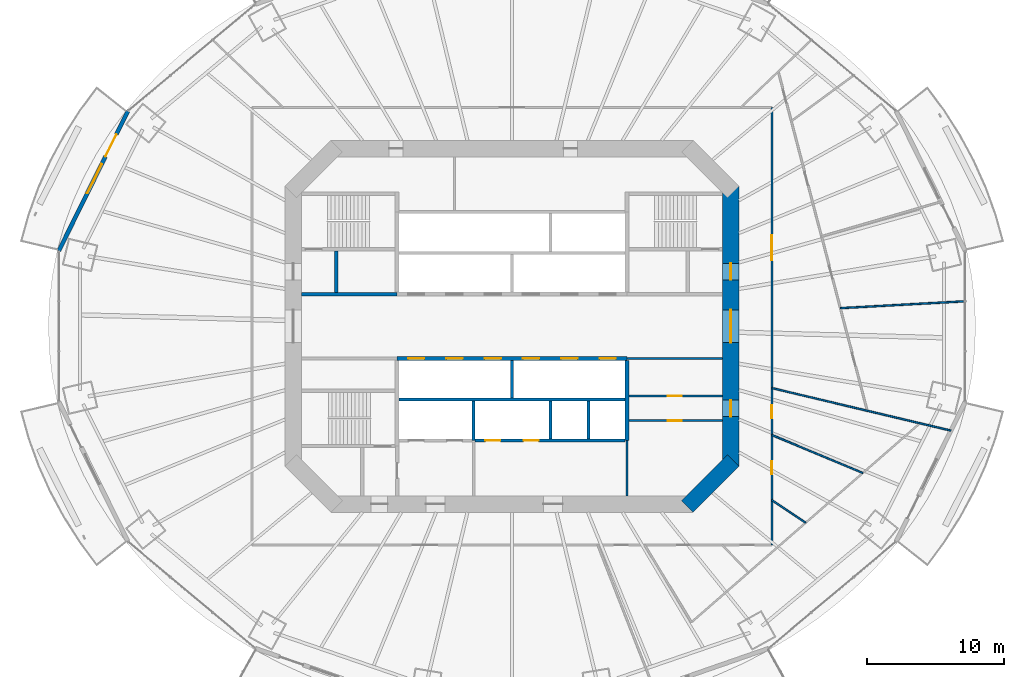
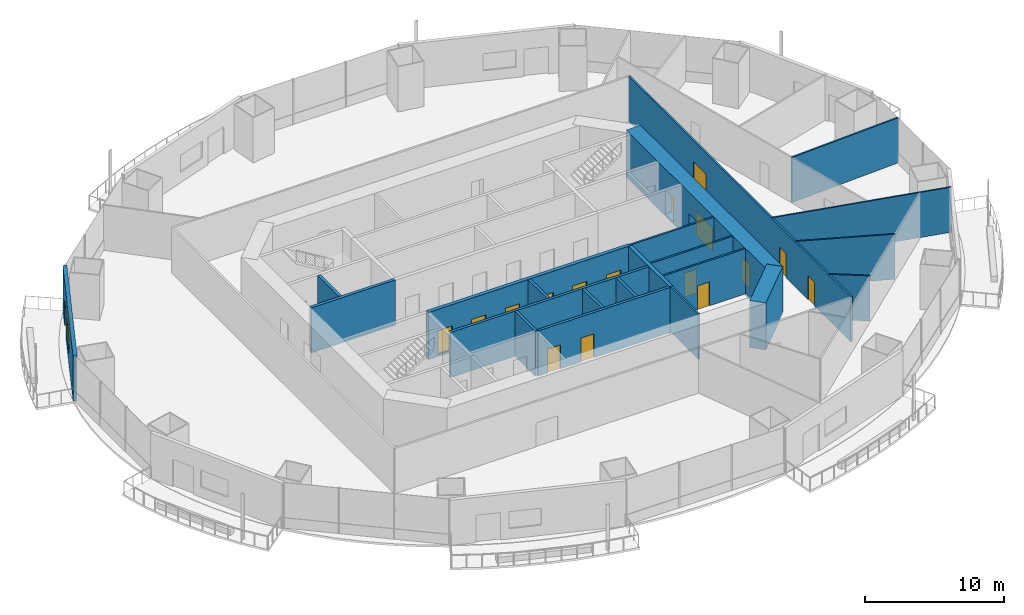
# One storey, part 14 of 21: 22 walls, 17 doors, 1 window, 18 openings.
"""IFC4 building model written with IfcOpenShell, lengths in metres."""

from ifc_helpers import new_model, si_unit, direction, frame, frame_2d, origin, place, context, subcontext, project, spatial, rectangle, extrude, material, layer, layer_set, type_object, element, fill, save


model = new_model("IFC4")

# Units and contexts
model_context = context("Model", 3, precision=1e-05, world=origin(), true_north=direction((0.0, 1.0)))
body_context = subcontext(model_context, "Body", "Model", "MODEL_VIEW")
ifc_project = project(units=[si_unit("LENGTHUNIT", "METRE"), si_unit("AREAUNIT", "SQUARE_METRE"), si_unit("VOLUMEUNIT", "CUBIC_METRE"), si_unit("PLANEANGLEUNIT", "RADIAN"), si_unit("MASSUNIT", "GRAM", prefix="KILO")], contexts=[model_context])

# Site, building, storey
site_placement = place(None, origin())
site = spatial("IfcSite", under=ifc_project, at=site_placement, CompositionType="ELEMENT")
building_placement = place(site_placement, origin())
building = spatial("IfcBuilding", under=site, at=building_placement, Name="Marenthal Gate Tower", CompositionType="ELEMENT")
storey_placement = place(building_placement, frame((0.0, 0.0, 128.449951171875)))
storey = spatial("IfcBuildingStorey", under=building, at=storey_placement, Name="L27", CompositionType="ELEMENT", Elevation=128.449951171875)

# Wall
ifc_material_1 = material(Name="Concrete 60 MPa", Category="concrete")
ifc_layer_1 = layer(ifc_material_1, 1.199951171875)
ifc_layer_set_1 = layer_set([ifc_layer_1], Name="Core shear wall 1200")
wall_type_1 = type_object("IfcWallType", Name="Core shear wall 1200", PredefinedType="SHEAR", material=ifc_layer_set_1)
wall_1_placement = place(storey_placement, frame((12.82421875, -13.17578125, -0.179931640625), z_axis=(0.0, 0.0, 1.0), x_axis=(0.707106781187, 0.707106781187, 0.0)))
element("IfcWall", 1, at=wall_1_placement, inside=storey, type_object=wall_type_1, Name="Core wall 01", PredefinedType="SHEAR", context=body_context, shape_type="SweptSolid", body=[
    extrude(rectangle(XDim=4.73974609375, YDim=1.199951171875, at=frame_2d((2.369873046875, 0.0))), origin(), (0.0, 0.0, 1.0), 4.14990234375),
])

# Wall, openings, doors
wall_2_placement = place(storey_placement, frame((16.0, -10.24853515625, -0.179931640625), z_axis=(0.0, 0.0, 1.0), x_axis=(0.0, 1.0, 0.0)))
wall_2 = element("IfcWall", 2, at=wall_2_placement, inside=storey, type_object=wall_type_1, Name="Core wall 02", PredefinedType="SHEAR", context=body_context, shape_type="SweptSolid", body=[
    extrude(rectangle(XDim=20.4970703125, YDim=1.199951171875, at=frame_2d((10.24853515625, 0.0))), origin(), (0.0, 0.0, 1.0), 4.14990234375),
])
opening_1_placement = place(wall_2_placement, frame((9.048583984375, 0.0, 0.179931640625)))
opening_1 = element("IfcOpeningElement", 3, at=opening_1_placement, cuts=wall_2, Name="Opening D003.02", PredefinedType="OPENING", context=body_context, shape_type="SweptSolid", body=[
    extrude(rectangle(XDim=2.39990234375, YDim=2.10009765625, at=frame_2d((1.199951171875, 1.050048828125))), frame((0.0, 0.60986328125, 0.0), z_axis=(0.0, -1.0, 0.0), x_axis=(1.0, 0.0, 0.0)), (0.0, 0.0, 1.0), 1.219970703125),
])
opening_2_placement = place(wall_2_placement, frame((13.6484375, 0.0, 0.179931640625)))
opening_2 = element("IfcOpeningElement", 4, at=opening_2_placement, cuts=wall_2, Name="Opening D001.05", PredefinedType="OPENING", context=body_context, shape_type="SweptSolid", body=[
    extrude(rectangle(XDim=1.199951171875, YDim=2.10009765625, at=frame_2d((0.60009765625, 1.050048828125))), frame((0.0, 0.60986328125, 0.0), z_axis=(0.0, -1.0, 0.0), x_axis=(1.0, 0.0, 0.0)), (0.0, 0.0, 1.0), 1.219970703125),
])
opening_3_placement = place(wall_2_placement, frame((3.6484375, 0.0, 0.179931640625)))
opening_3 = element("IfcOpeningElement", 5, at=opening_3_placement, cuts=wall_2, Name="Opening D006.01", PredefinedType="OPENING", context=body_context, shape_type="SweptSolid", body=[
    extrude(rectangle(XDim=1.199951171875, YDim=2.10009765625, at=frame_2d((0.60009765625, 1.050048828125))), frame((0.0, 0.60986328125, 0.0), z_axis=(0.0, -1.0, 0.0), x_axis=(1.0, 0.0, 0.0)), (0.0, 0.0, 1.0), 1.219970703125),
])
ifc_material_2 = material(Name="Steel fire door", Category="steel")
door_type_1 = type_object("IfcDoorType", Name="Double fire door FD 45 2400 x 2100", OperationType="DOUBLE_DOOR_SINGLE_SWING", PredefinedType="DOOR", material=ifc_material_2)
door_1_placement = place(opening_1_placement, origin())
door_1 = element("IfcDoor", 6, at=door_1_placement, inside=storey, type_object=door_type_1, Name="Door D003.02", OperationType="DOUBLE_DOOR_SINGLE_SWING", OverallHeight=2.10009765625, OverallWidth=2.39990234375, PredefinedType="DOOR", context=body_context, shape_type="SweptSolid", body=[
    extrude(rectangle(XDim=2.39990234375, YDim=2.10009765625, at=frame_2d((1.199951171875, 1.050048828125))), frame((0.0, 0.02490234375, 0.0), z_axis=(0.0, -1.0, 0.0), x_axis=(1.0, 0.0, 0.0)), (0.0, 0.0, 1.0), 0.050048828125),
])
fill(opening_1, door_1)
ifc_material_3 = material(Name="Steel fire door", Category="steel")
door_type_2 = type_object("IfcDoorType", Name="Fire door FD 45 1200 x 2100", OperationType="NOTDEFINED", PredefinedType="DOOR", material=ifc_material_3)
door_2_placement = place(opening_3_placement, origin())
door_2 = element("IfcDoor", 7, at=door_2_placement, inside=storey, type_object=door_type_2, Name="Door D006.01", OperationType="SINGLE_SWING_RIGHT", OverallHeight=2.10009765625, OverallWidth=1.199951171875, PredefinedType="DOOR", context=body_context, shape_type="SweptSolid", body=[
    extrude(rectangle(XDim=1.199951171875, YDim=2.10009765625, at=frame_2d((0.60009765625, 1.050048828125))), frame((0.0, 0.02490234375, 0.0), z_axis=(0.0, -1.0, 0.0), x_axis=(1.0, 0.0, 0.0)), (0.0, 0.0, 1.0), 0.050048828125),
])
fill(opening_3, door_2)
ifc_material_4 = material(Name="Steel fire door", Category="steel")
door_type_3 = type_object("IfcDoorType", Name="Fire door FD 90 1200 x 2100", OperationType="NOTDEFINED", PredefinedType="DOOR", material=ifc_material_4)
door_3_placement = place(opening_2_placement, origin())
door_3 = element("IfcDoor", 8, at=door_3_placement, inside=storey, type_object=door_type_3, Name="Door D001.05", OperationType="SINGLE_SWING_RIGHT", OverallHeight=2.10009765625, OverallWidth=1.199951171875, PredefinedType="DOOR", context=body_context, shape_type="SweptSolid", body=[
    extrude(rectangle(XDim=1.199951171875, YDim=2.10009765625, at=frame_2d((0.60009765625, 1.050048828125))), frame((0.0, 0.02490234375, 0.0), z_axis=(0.0, -1.0, 0.0), x_axis=(1.0, 0.0, 0.0)), (0.0, 0.0, 1.0), 0.050048828125),
])
fill(opening_2, door_3)

ifc_material_5 = material(Name="Concrete 50 MPa", Category="concrete")
ifc_layer_2 = layer(ifc_material_5, 0.300048828125)
ifc_layer_set_2 = layer_set([ifc_layer_2], Name="Hoistway shear wall 300")
wall_type_2 = type_object("IfcWallType", Name="Hoistway shear wall 300", PredefinedType="SHEAR", material=ifc_layer_set_2)
wall_3_placement = place(storey_placement, frame((-8.39990234375, -2.35009765625, -0.179931640625), z_axis=(0.0, 0.0, 1.0), x_axis=(1.0, 0.0, 0.0)))
wall_3 = element("IfcWall", 9, at=wall_3_placement, inside=storey, type_object=wall_type_2, Name="Hoistway wall 17", PredefinedType="SHEAR", context=body_context, shape_type="SweptSolid", body=[
    extrude(rectangle(XDim=16.7998046875, YDim=0.300048828125, at=frame_2d((8.39990234375, 0.0))), origin(), (0.0, 0.0, 1.0), 4.14990234375),
])
opening_4_placement = place(wall_3_placement, frame((0.800048828125, 0.0, 0.179931640625)))
opening_4 = element("IfcOpeningElement", 10, at=opening_4_placement, cuts=wall_3, Name="Opening LD-LP7", PredefinedType="OPENING", context=body_context, shape_type="SweptSolid", body=[
    extrude(rectangle(XDim=1.199951171875, YDim=2.10009765625, at=frame_2d((0.60009765625, 1.050048828125))), frame((0.0, 0.16015625, 0.0), z_axis=(0.0, -1.0, 0.0), x_axis=(1.0, 0.0, 0.0)), (0.0, 0.0, 1.0), 0.320068359375),
])
opening_5_placement = place(wall_3_placement, frame((3.60009765625, 0.0, 0.179931640625)))
opening_5 = element("IfcOpeningElement", 11, at=opening_5_placement, cuts=wall_3, Name="Opening LD-LP8", PredefinedType="OPENING", context=body_context, shape_type="SweptSolid", body=[
    extrude(rectangle(XDim=1.199951171875, YDim=2.10009765625, at=frame_2d((0.60009765625, 1.050048828125))), frame((0.0, 0.16015625, 0.0), z_axis=(0.0, -1.0, 0.0), x_axis=(1.0, 0.0, 0.0)), (0.0, 0.0, 1.0), 0.320068359375),
])
opening_6_placement = place(wall_3_placement, frame((6.39990234375, 0.0, 0.179931640625)))
opening_6 = element("IfcOpeningElement", 12, at=opening_6_placement, cuts=wall_3, Name="Opening LD-LP9", PredefinedType="OPENING", context=body_context, shape_type="SweptSolid", body=[
    extrude(rectangle(XDim=1.199951171875, YDim=2.10009765625, at=frame_2d((0.60009765625, 1.050048828125))), frame((0.0, 0.16015625, 0.0), z_axis=(0.0, -1.0, 0.0), x_axis=(1.0, 0.0, 0.0)), (0.0, 0.0, 1.0), 0.320068359375),
])
opening_7_placement = place(wall_3_placement, frame((9.199951171875, 0.0, 0.179931640625)))
opening_7 = element("IfcOpeningElement", 13, at=opening_7_placement, cuts=wall_3, Name="Opening LD-LP10", PredefinedType="OPENING", context=body_context, shape_type="SweptSolid", body=[
    extrude(rectangle(XDim=1.199951171875, YDim=2.10009765625, at=frame_2d((0.60009765625, 1.050048828125))), frame((0.0, 0.16015625, 0.0), z_axis=(0.0, -1.0, 0.0), x_axis=(1.0, 0.0, 0.0)), (0.0, 0.0, 1.0), 0.320068359375),
])
opening_8_placement = place(wall_3_placement, frame((12.0, 0.0, 0.179931640625)))
opening_8 = element("IfcOpeningElement", 14, at=opening_8_placement, cuts=wall_3, Name="Opening LD-LP11", PredefinedType="OPENING", context=body_context, shape_type="SweptSolid", body=[
    extrude(rectangle(XDim=1.199951171875, YDim=2.10009765625, at=frame_2d((0.60009765625, 1.050048828125))), frame((0.0, 0.16015625, 0.0), z_axis=(0.0, -1.0, 0.0), x_axis=(1.0, 0.0, 0.0)), (0.0, 0.0, 1.0), 0.320068359375),
])
opening_9_placement = place(wall_3_placement, frame((14.800048828125, 0.0, 0.179931640625)))
opening_9 = element("IfcOpeningElement", 15, at=opening_9_placement, cuts=wall_3, Name="Opening LD-LP12", PredefinedType="OPENING", context=body_context, shape_type="SweptSolid", body=[
    extrude(rectangle(XDim=1.199951171875, YDim=2.10009765625, at=frame_2d((0.60009765625, 1.050048828125))), frame((0.0, 0.16015625, 0.0), z_axis=(0.0, -1.0, 0.0), x_axis=(1.0, 0.0, 0.0)), (0.0, 0.0, 1.0), 0.320068359375),
])
ifc_material_6 = material(Name="Stainless steel sliding door", Category="steel")
door_type_4 = type_object("IfcDoorType", Name="Lift landing door FD 90 1200 x 2100", OperationType="DOUBLE_DOOR_SLIDING", PredefinedType="DOOR", material=ifc_material_6)
door_4_placement = place(opening_4_placement, origin())
door_4 = element("IfcDoor", 16, at=door_4_placement, inside=storey, type_object=door_type_4, Name="Lift landing door LP7", OperationType="DOUBLE_DOOR_SLIDING", OverallHeight=2.10009765625, OverallWidth=1.199951171875, PredefinedType="DOOR", context=body_context, shape_type="SweptSolid", body=[
    extrude(rectangle(XDim=1.199951171875, YDim=2.10009765625, at=frame_2d((0.60009765625, 1.050048828125))), frame((0.0, 0.02490234375, 0.0), z_axis=(0.0, -1.0, 0.0), x_axis=(1.0, 0.0, 0.0)), (0.0, 0.0, 1.0), 0.050048828125),
])
fill(opening_4, door_4)
door_5_placement = place(opening_5_placement, origin())
door_5 = element("IfcDoor", 17, at=door_5_placement, inside=storey, type_object=door_type_4, Name="Lift landing door LP8", OperationType="DOUBLE_DOOR_SLIDING", OverallHeight=2.10009765625, OverallWidth=1.199951171875, PredefinedType="DOOR", context=body_context, shape_type="SweptSolid", body=[
    extrude(rectangle(XDim=1.199951171875, YDim=2.10009765625, at=frame_2d((0.60009765625, 1.050048828125))), frame((0.0, 0.02490234375, 0.0), z_axis=(0.0, -1.0, 0.0), x_axis=(1.0, 0.0, 0.0)), (0.0, 0.0, 1.0), 0.050048828125),
])
fill(opening_5, door_5)
door_6_placement = place(opening_6_placement, origin())
door_6 = element("IfcDoor", 18, at=door_6_placement, inside=storey, type_object=door_type_4, Name="Lift landing door LP9", OperationType="DOUBLE_DOOR_SLIDING", OverallHeight=2.10009765625, OverallWidth=1.199951171875, PredefinedType="DOOR", context=body_context, shape_type="SweptSolid", body=[
    extrude(rectangle(XDim=1.199951171875, YDim=2.10009765625, at=frame_2d((0.60009765625, 1.050048828125))), frame((0.0, 0.02490234375, 0.0), z_axis=(0.0, -1.0, 0.0), x_axis=(1.0, 0.0, 0.0)), (0.0, 0.0, 1.0), 0.050048828125),
])
fill(opening_6, door_6)
door_7_placement = place(opening_7_placement, origin())
door_7 = element("IfcDoor", 19, at=door_7_placement, inside=storey, type_object=door_type_4, Name="Lift landing door LP10", OperationType="DOUBLE_DOOR_SLIDING", OverallHeight=2.10009765625, OverallWidth=1.199951171875, PredefinedType="DOOR", context=body_context, shape_type="SweptSolid", body=[
    extrude(rectangle(XDim=1.199951171875, YDim=2.10009765625, at=frame_2d((0.60009765625, 1.050048828125))), frame((0.0, 0.02490234375, 0.0), z_axis=(0.0, -1.0, 0.0), x_axis=(1.0, 0.0, 0.0)), (0.0, 0.0, 1.0), 0.050048828125),
])
fill(opening_7, door_7)
door_8_placement = place(opening_8_placement, origin())
door_8 = element("IfcDoor", 20, at=door_8_placement, inside=storey, type_object=door_type_4, Name="Lift landing door LP11", OperationType="DOUBLE_DOOR_SLIDING", OverallHeight=2.10009765625, OverallWidth=1.199951171875, PredefinedType="DOOR", context=body_context, shape_type="SweptSolid", body=[
    extrude(rectangle(XDim=1.199951171875, YDim=2.10009765625, at=frame_2d((0.60009765625, 1.050048828125))), frame((0.0, 0.02490234375, 0.0), z_axis=(0.0, -1.0, 0.0), x_axis=(1.0, 0.0, 0.0)), (0.0, 0.0, 1.0), 0.050048828125),
])
fill(opening_8, door_8)
door_9_placement = place(opening_9_placement, origin())
door_9 = element("IfcDoor", 21, at=door_9_placement, inside=storey, type_object=door_type_4, Name="Lift landing door LP12", OperationType="DOUBLE_DOOR_SLIDING", OverallHeight=2.10009765625, OverallWidth=1.199951171875, PredefinedType="DOOR", context=body_context, shape_type="SweptSolid", body=[
    extrude(rectangle(XDim=1.199951171875, YDim=2.10009765625, at=frame_2d((0.60009765625, 1.050048828125))), frame((0.0, 0.02490234375, 0.0), z_axis=(0.0, -1.0, 0.0), x_axis=(1.0, 0.0, 0.0)), (0.0, 0.0, 1.0), 0.050048828125),
])
fill(opening_9, door_9)

# Wall
wall_4_placement = place(storey_placement, frame((8.39990234375, -8.35009765625, -0.179931640625), z_axis=(0.0, 0.0, 1.0), x_axis=(0.0, 1.0, 0.0)))
element("IfcWall", 22, at=wall_4_placement, inside=storey, type_object=wall_type_2, Name="Hoistway wall 43", PredefinedType="SHEAR", context=body_context, shape_type="SweptSolid", body=[
    extrude(rectangle(XDim=5.85009765625, YDim=0.300048828125, at=frame_2d((2.925048828125, 0.0))), origin(), (0.0, 0.0, 1.0), 4.14990234375),
])

# Wall, openings, doors
ifc_material_7 = material(Name="Concrete 40 MPa", Category="concrete")
ifc_layer_3 = layer(ifc_material_7, 0.219970703125)
ifc_layer_set_3 = layer_set([ifc_layer_3], Name="Hoistway wall 220")
wall_type_3 = type_object("IfcWallType", Name="Hoistway wall 220", PredefinedType="STANDARD", material=ifc_layer_set_3)
wall_5_placement = place(storey_placement, frame((-2.68994140625, -8.35009765625, 0.0), z_axis=(0.0, 0.0, 1.0), x_axis=(1.0, 0.0, 0.0)))
wall_5 = element("IfcWall", 23, at=wall_5_placement, inside=storey, type_object=wall_type_3, Name="Hoistway wall 11", PredefinedType="STANDARD", context=body_context, shape_type="SweptSolid", body=[
    extrude(rectangle(XDim=10.93994140625, YDim=0.219970703125, at=frame_2d((5.469970703125, 0.0))), origin(), (0.0, 0.0, 1.0), 3.969970703125),
])
opening_10_placement = place(wall_5_placement, frame((0.739990234375, 0.0, 0.0)))
opening_10 = element("IfcOpeningElement", 24, at=opening_10_placement, cuts=wall_5, Name="Opening LD-SV1", PredefinedType="OPENING", context=body_context, shape_type="SweptSolid", body=[
    extrude(rectangle(XDim=1.10009765625, YDim=2.10009765625, at=frame_2d((0.550048828125, 1.050048828125))), frame((0.0, 0.1201171875, 0.0), z_axis=(0.0, -1.0, 0.0), x_axis=(1.0, 0.0, 0.0)), (0.0, 0.0, 1.0), 0.239990234375),
])
opening_11_placement = place(wall_5_placement, frame((3.5400390625, 0.0, 0.0)))
opening_11 = element("IfcOpeningElement", 25, at=opening_11_placement, cuts=wall_5, Name="Opening LD-SV2", PredefinedType="OPENING", context=body_context, shape_type="SweptSolid", body=[
    extrude(rectangle(XDim=1.10009765625, YDim=2.10009765625, at=frame_2d((0.550048828125, 1.050048828125))), frame((0.0, 0.1201171875, 0.0), z_axis=(0.0, -1.0, 0.0), x_axis=(1.0, 0.0, 0.0)), (0.0, 0.0, 1.0), 0.239990234375),
])
ifc_material_8 = material(Name="Stainless steel sliding door", Category="steel")
door_type_5 = type_object("IfcDoorType", Name="Lift landing door FD 90 1100 x 2100", OperationType="DOUBLE_DOOR_SLIDING", PredefinedType="DOOR", material=ifc_material_8)
door_10_placement = place(opening_10_placement, origin())
door_10 = element("IfcDoor", 26, at=door_10_placement, inside=storey, type_object=door_type_5, Name="Lift landing door SV1", OperationType="DOUBLE_DOOR_SLIDING", OverallHeight=2.10009765625, OverallWidth=1.10009765625, PredefinedType="DOOR", context=body_context, shape_type="SweptSolid", body=[
    extrude(rectangle(XDim=1.10009765625, YDim=2.10009765625, at=frame_2d((0.550048828125, 1.050048828125))), frame((0.0, 0.02490234375, 0.0), z_axis=(0.0, -1.0, 0.0), x_axis=(1.0, 0.0, 0.0)), (0.0, 0.0, 1.0), 0.050048828125),
])
fill(opening_10, door_10)
door_11_placement = place(opening_11_placement, origin())
door_11 = element("IfcDoor", 27, at=door_11_placement, inside=storey, type_object=door_type_5, Name="Lift landing door SV2", OperationType="DOUBLE_DOOR_SLIDING", OverallHeight=2.10009765625, OverallWidth=1.10009765625, PredefinedType="DOOR", context=body_context, shape_type="SweptSolid", body=[
    extrude(rectangle(XDim=1.10009765625, YDim=2.10009765625, at=frame_2d((0.550048828125, 1.050048828125))), frame((0.0, 0.02490234375, 0.0), z_axis=(0.0, -1.0, 0.0), x_axis=(1.0, 0.0, 0.0)), (0.0, 0.0, 1.0), 0.050048828125),
])
fill(opening_11, door_11)

# Walls
wall_6_placement = place(storey_placement, frame((-8.25, -5.35009765625, 0.0), z_axis=(0.0, 0.0, 1.0), x_axis=(1.0, 0.0, 0.0)))
element("IfcWall", 28, at=wall_6_placement, inside=storey, type_object=wall_type_3, Name="Hoistway wall 13", PredefinedType="STANDARD", context=body_context, shape_type="SweptSolid", body=[
    extrude(rectangle(XDim=16.5, YDim=0.219970703125, at=frame_2d((8.25, 0.0))), origin(), (0.0, 0.0, 1.0), 3.969970703125),
])
wall_7_placement = place(storey_placement, frame((-2.800048828125, -8.35009765625, 0.0), z_axis=(0.0, 0.0, 1.0), x_axis=(0.0, 1.0, 0.0)))
element("IfcWall", 29, at=wall_7_placement, inside=storey, type_object=wall_type_3, Name="Hoistway wall 36", PredefinedType="STANDARD", context=body_context, shape_type="SweptSolid", body=[
    extrude(rectangle(XDim=2.89013671875, YDim=0.219970703125, at=frame_2d((1.445068359375, 0.0))), origin(), (0.0, 0.0, 1.0), 3.969970703125),
])
wall_8_placement = place(storey_placement, frame((0.0, -5.239990234375, 0.0), z_axis=(0.0, 0.0, 1.0), x_axis=(0.0, 1.0, 0.0)))
element("IfcWall", 30, at=wall_8_placement, inside=storey, type_object=wall_type_3, Name="Hoistway wall 37", PredefinedType="STANDARD", context=body_context, shape_type="SweptSolid", body=[
    extrude(rectangle(XDim=2.739990234375, YDim=0.219970703125, at=frame_2d((1.3701171875, 0.0))), origin(), (0.0, 0.0, 1.0), 3.969970703125),
])
for number, where, z_axis, x_axis, name in (
    (31, (2.800048828125, -8.239990234375, 0.0), (0.0, 0.0, 1.0), (0.0, 1.0, 0.0), "Hoistway wall 39"),
    (32, (5.60009765625, -8.239990234375, 0.0), (0.0, 0.0, 1.0), (0.0, 1.0, 0.0), "Hoistway wall 41"),
):
    element("IfcWall", number, at=place(storey_placement, frame(where, z_axis=z_axis, x_axis=x_axis)), inside=storey, type_object=wall_type_3, Name=name, PredefinedType="STANDARD", context=body_context, shape_type="SweptSolid", body=[
        extrude(rectangle(XDim=2.780029296875, YDim=0.219970703125, at=frame_2d((1.39013671875, 0.0))), origin(), (0.0, 0.0, 1.0), 3.969970703125),
    ])
ifc_material_9 = material(Name="Gypsum board on steel studs", Category="steel")
ifc_layer_4 = layer(ifc_material_9, 0.1201171875)
ifc_layer_set_4 = layer_set([ifc_layer_4], Name="Partition 120")
wall_type_4 = type_object("IfcWallType", Name="Partition 120", PredefinedType="PARTITIONING", material=ifc_layer_set_4)
wall_9_placement = place(storey_placement, frame((19.0, -4.5146484375, 0.0), z_axis=(0.0, 0.0, 1.0), x_axis=(0.972908867851, -0.231188959202, 0.0)))
element("IfcWall", 33, at=wall_9_placement, inside=storey, type_object=wall_type_4, Name="Partition wall 56", PredefinedType="PARTITIONING", context=body_context, shape_type="SweptSolid", body=[
    extrude(rectangle(XDim=13.461181640625, YDim=0.1201171875, at=frame_2d((6.73046875, 0.0))), origin(), (0.0, 0.0, 1.0), 3.969970703125),
])
wall_10_placement = place(storey_placement, frame((21.4765625, -14.363037109375, 0.0), z_axis=(0.0, 0.0, 1.0), x_axis=(-0.831242578358, 0.555909863129, 0.0)))
element("IfcWall", 34, at=wall_10_placement, inside=storey, type_object=wall_type_4, Name="Partition wall 58", PredefinedType="PARTITIONING", context=body_context, shape_type="SweptSolid", body=[
    extrude(rectangle(XDim=2.979248046875, YDim=0.1201171875, at=frame_2d((1.48974609375, 0.0))), origin(), (0.0, 0.0, 1.0), 3.969970703125),
])
wall_11_placement = place(storey_placement, frame((25.653076171875, -10.7255859375, 0.0), z_axis=(0.0, 0.0, 1.0), x_axis=(-0.922602442877, 0.385752164476, 0.0)))
element("IfcWall", 35, at=wall_11_placement, inside=storey, type_object=wall_type_4, Name="Partition wall 60", PredefinedType="PARTITIONING", context=body_context, shape_type="SweptSolid", body=[
    extrude(rectangle(XDim=7.211181640625, YDim=0.1201171875, at=frame_2d((3.60546875, 0.0))), origin(), (0.0, 0.0, 1.0), 3.969970703125),
])
wall_12_placement = place(storey_placement, frame((33.134765625, 1.831787109375, 0.0), z_axis=(0.0, 0.0, 1.0), x_axis=(-0.998475116473, -0.055203639227, 0.0)))
element("IfcWall", 36, at=wall_12_placement, inside=storey, type_object=wall_type_4, Name="Partition wall 63", PredefinedType="PARTITIONING", context=body_context, shape_type="SweptSolid", body=[
    extrude(rectangle(XDim=9.136962890625, YDim=0.1201171875, at=frame_2d((4.568359375, 0.0))), origin(), (0.0, 0.0, 1.0), 3.969970703125),
])

# Wall, opening, door
ifc_material_10 = material(Name="Gypsum board on steel studs", Category="steel")
ifc_layer_5 = layer(ifc_material_10, 0.14990234375)
ifc_layer_set_5 = layer_set([ifc_layer_5], Name="Partition 150")
wall_type_5 = type_object("IfcWallType", Name="Partition 150", PredefinedType="PARTITIONING", material=ifc_layer_set_5)
wall_13_placement = place(storey_placement, frame((8.550048828125, -6.89990234375, 0.0), z_axis=(0.0, 0.0, 1.0), x_axis=(1.0, 0.0, 0.0)))
wall_13 = element("IfcWall", 37, at=wall_13_placement, inside=storey, type_object=wall_type_5, Name="Partition wall 12", PredefinedType="PARTITIONING", context=body_context, shape_type="SweptSolid", body=[
    extrude(rectangle(XDim=6.849853515625, YDim=0.14990234375, at=frame_2d((3.4248046875, 0.0))), origin(), (0.0, 0.0, 1.0), 3.969970703125),
])
opening_12_placement = place(wall_13_placement, frame((2.85009765625, 0.0, 0.0)))
opening_12 = element("IfcOpeningElement", 38, at=opening_12_placement, cuts=wall_13, Name="Opening D005.04", PredefinedType="OPENING", context=body_context, shape_type="SweptSolid", body=[
    extrude(rectangle(XDim=1.0, YDim=2.10009765625, at=frame_2d((0.5, 1.050048828125))), frame((0.0, 0.0849609375, 0.0), z_axis=(0.0, -1.0, 0.0), x_axis=(1.0, 0.0, 0.0)), (0.0, 0.0, 1.0), 0.169921875),
])
ifc_material_11 = material(Name="Steel fire door", Category="steel")
door_type_6 = type_object("IfcDoorType", Name="Fire door FD 45 1000 x 2100", OperationType="NOTDEFINED", PredefinedType="DOOR", material=ifc_material_11)
door_12_placement = place(opening_12_placement, frame((1.0, 0.0, 0.0), z_axis=(0.0, 0.0, 1.0), x_axis=(-1.0, 0.0, 0.0)))
door_12 = element("IfcDoor", 39, at=door_12_placement, inside=storey, type_object=door_type_6, Name="Door D005.04", OperationType="SINGLE_SWING_LEFT", OverallHeight=2.10009765625, OverallWidth=1.0, PredefinedType="DOOR", context=body_context, shape_type="SweptSolid", body=[
    extrude(rectangle(XDim=1.0, YDim=2.10009765625, at=frame_2d((0.5, 1.050048828125))), frame((0.0, 0.02490234375, 0.0), z_axis=(0.0, -1.0, 0.0), x_axis=(1.0, 0.0, 0.0)), (0.0, 0.0, 1.0), 0.050048828125),
])
fill(opening_12, door_12)

wall_14_placement = place(storey_placement, frame((8.550048828125, -5.10009765625, 0.0), z_axis=(0.0, 0.0, 1.0), x_axis=(1.0, 0.0, 0.0)))
wall_14 = element("IfcWall", 40, at=wall_14_placement, inside=storey, type_object=wall_type_5, Name="Partition wall 14", PredefinedType="PARTITIONING", context=body_context, shape_type="SweptSolid", body=[
    extrude(rectangle(XDim=6.849853515625, YDim=0.14990234375, at=frame_2d((3.4248046875, 0.0))), origin(), (0.0, 0.0, 1.0), 3.969970703125),
])
opening_13_placement = place(wall_14_placement, frame((2.85009765625, 0.0, 0.0)))
opening_13 = element("IfcOpeningElement", 41, at=opening_13_placement, cuts=wall_14, Name="Opening D005.03", PredefinedType="OPENING", context=body_context, shape_type="SweptSolid", body=[
    extrude(rectangle(XDim=1.0, YDim=2.10009765625, at=frame_2d((0.5, 1.050048828125))), frame((0.0, 0.0849609375, 0.0), z_axis=(0.0, -1.0, 0.0), x_axis=(1.0, 0.0, 0.0)), (0.0, 0.0, 1.0), 0.169921875),
])
door_13_placement = place(opening_13_placement, origin())
door_13 = element("IfcDoor", 42, at=door_13_placement, inside=storey, type_object=door_type_6, Name="Door D005.03", OperationType="SINGLE_SWING_RIGHT", OverallHeight=2.10009765625, OverallWidth=1.0, PredefinedType="DOOR", context=body_context, shape_type="SweptSolid", body=[
    extrude(rectangle(XDim=1.0, YDim=2.10009765625, at=frame_2d((0.5, 1.050048828125))), frame((0.0, 0.02490234375, 0.0), z_axis=(0.0, -1.0, 0.0), x_axis=(1.0, 0.0, 0.0)), (0.0, 0.0, 1.0), 0.050048828125),
])
fill(opening_13, door_13)

# Walls
wall_15_placement = place(storey_placement, frame((8.39990234375, -2.35009765625, 0.0), z_axis=(0.0, 0.0, 1.0), x_axis=(1.0, 0.0, 0.0)))
element("IfcWall", 43, at=wall_15_placement, inside=storey, type_object=wall_type_5, Name="Partition wall 18", PredefinedType="PARTITIONING", context=body_context, shape_type="SweptSolid", body=[
    extrude(rectangle(XDim=7.0, YDim=0.14990234375, at=frame_2d((3.5, 0.0))), origin(), (0.0, 0.0, 1.0), 3.969970703125),
])
wall_16_placement = place(storey_placement, frame((8.39990234375, -12.39990234375, 0.0), z_axis=(0.0, 0.0, 1.0), x_axis=(0.0, 1.0, 0.0)))
element("IfcWall", 44, at=wall_16_placement, inside=storey, type_object=wall_type_5, Name="Partition wall 42", PredefinedType="PARTITIONING", context=body_context, shape_type="SweptSolid", body=[
    extrude(rectangle(XDim=4.0498046875, YDim=0.14990234375, at=frame_2d((2.02490234375, 0.0))), origin(), (0.0, 0.0, 1.0), 3.969970703125),
])

# Wall, openings, doors
wall_17_placement = place(storey_placement, frame((19.0, 16.0, 0.0), z_axis=(0.0, 0.0, 1.0), x_axis=(0.0, -1.0, 0.0)))
wall_17 = element("IfcWall", 45, at=wall_17_placement, inside=storey, type_object=wall_type_5, Name="Partition wall 57", PredefinedType="PARTITIONING", context=body_context, shape_type="SweptSolid", body=[
    extrude(rectangle(XDim=32.0, YDim=0.14990234375, at=frame_2d((16.0, 0.0))), origin(), (0.0, 0.0, 1.0), 3.969970703125),
])
opening_14_placement = place(wall_17_placement, frame((25.85107421875, 0.0, 0.0)))
opening_14 = element("IfcOpeningElement", 46, at=opening_14_placement, cuts=wall_17, Name="Opening D016.03", PredefinedType="OPENING", context=body_context, shape_type="SweptSolid", body=[
    extrude(rectangle(XDim=0.949951171875, YDim=2.10009765625, at=frame_2d((0.47509765625, 1.050048828125))), frame((0.0, 0.0849609375, 0.0), z_axis=(0.0, -1.0, 0.0), x_axis=(1.0, 0.0, 0.0)), (0.0, 0.0, 1.0), 0.169921875),
])
opening_15_placement = place(wall_17_placement, frame((21.7548828125, 0.0, 0.0)))
opening_15 = element("IfcOpeningElement", 47, at=opening_15_placement, cuts=wall_17, Name="Opening D016.04", PredefinedType="OPENING", context=body_context, shape_type="SweptSolid", body=[
    extrude(rectangle(XDim=0.949951171875, YDim=2.10009765625, at=frame_2d((0.47509765625, 1.050048828125))), frame((0.0, 0.0849609375, 0.0), z_axis=(0.0, -1.0, 0.0), x_axis=(1.0, 0.0, 0.0)), (0.0, 0.0, 1.0), 0.169921875),
])
opening_16_placement = place(wall_17_placement, frame((9.35791015625, 0.0, 0.0)))
opening_16 = element("IfcOpeningElement", 48, at=opening_16_placement, cuts=wall_17, Name="Opening D014.03", PredefinedType="OPENING", context=body_context, shape_type="SweptSolid", body=[
    extrude(rectangle(XDim=1.800048828125, YDim=2.10009765625, at=frame_2d((0.89990234375, 1.050048828125))), frame((0.0, 0.0849609375, 0.0), z_axis=(0.0, -1.0, 0.0), x_axis=(1.0, 0.0, 0.0)), (0.0, 0.0, 1.0), 0.169921875),
])
ifc_material_12 = material(Name="Timber door", Category="wood")
door_type_7 = type_object("IfcDoorType", Name="Door 950 x 2100", OperationType="NOTDEFINED", PredefinedType="DOOR", material=ifc_material_12)
door_14_placement = place(opening_14_placement, origin())
door_14 = element("IfcDoor", 49, at=door_14_placement, inside=storey, type_object=door_type_7, Name="Door D016.03", OperationType="SINGLE_SWING_RIGHT", OverallHeight=2.10009765625, OverallWidth=0.949951171875, PredefinedType="DOOR", context=body_context, shape_type="SweptSolid", body=[
    extrude(rectangle(XDim=0.949951171875, YDim=2.10009765625, at=frame_2d((0.47509765625, 1.050048828125))), frame((0.0, 0.02490234375, 0.0), z_axis=(0.0, -1.0, 0.0), x_axis=(1.0, 0.0, 0.0)), (0.0, 0.0, 1.0), 0.050048828125),
])
fill(opening_14, door_14)
door_15_placement = place(opening_15_placement, origin())
door_15 = element("IfcDoor", 50, at=door_15_placement, inside=storey, type_object=door_type_7, Name="Door D016.04", OperationType="SINGLE_SWING_RIGHT", OverallHeight=2.10009765625, OverallWidth=0.949951171875, PredefinedType="DOOR", context=body_context, shape_type="SweptSolid", body=[
    extrude(rectangle(XDim=0.949951171875, YDim=2.10009765625, at=frame_2d((0.47509765625, 1.050048828125))), frame((0.0, 0.02490234375, 0.0), z_axis=(0.0, -1.0, 0.0), x_axis=(1.0, 0.0, 0.0)), (0.0, 0.0, 1.0), 0.050048828125),
])
fill(opening_15, door_15)
ifc_material_13 = material(Name="Timber door", Category="wood")
door_type_8 = type_object("IfcDoorType", Name="Double door 1800 x 2100", OperationType="DOUBLE_DOOR_SINGLE_SWING", PredefinedType="DOOR", material=ifc_material_13)
door_16_placement = place(opening_16_placement, origin())
door_16 = element("IfcDoor", 51, at=door_16_placement, inside=storey, type_object=door_type_8, Name="Door D014.03", OperationType="DOUBLE_DOOR_SINGLE_SWING", OverallHeight=2.10009765625, OverallWidth=1.800048828125, PredefinedType="DOOR", context=body_context, shape_type="SweptSolid", body=[
    extrude(rectangle(XDim=1.800048828125, YDim=2.10009765625, at=frame_2d((0.89990234375, 1.050048828125))), frame((0.0, 0.02490234375, 0.0), z_axis=(0.0, -1.0, 0.0), x_axis=(1.0, 0.0, 0.0)), (0.0, 0.0, 1.0), 0.050048828125),
])
fill(opening_16, door_16)

# Walls
ifc_material_14 = material(Name="Concrete 40 MPa", Category="concrete")
ifc_layer_6 = layer(ifc_material_14, 0.25)
ifc_layer_set_6 = layer_set([ifc_layer_6], Name="Stair enclosure wall 250")
wall_type_6 = type_object("IfcWallType", Name="Stair enclosure wall 250", PredefinedType="STANDARD", material=ifc_layer_set_6)
wall_18_placement = place(storey_placement, frame((-15.39990234375, 2.35009765625, 0.0), z_axis=(0.0, 0.0, 1.0), x_axis=(1.0, 0.0, 0.0)))
element("IfcWall", 52, at=wall_18_placement, inside=storey, type_object=wall_type_6, Name="Stair wall 19", PredefinedType="STANDARD", context=body_context, shape_type="SweptSolid", body=[
    extrude(rectangle(XDim=7.0, YDim=0.25, at=frame_2d((3.5, 0.0))), origin(), (0.0, 0.0, 1.0), 3.969970703125),
])
wall_19_placement = place(storey_placement, frame((-12.85009765625, 2.47509765625, 0.0), z_axis=(0.0, 0.0, 1.0), x_axis=(0.0, 1.0, 0.0)))
element("IfcWall", 53, at=wall_19_placement, inside=storey, type_object=wall_type_6, Name="Stair wall 28", PredefinedType="STANDARD", context=body_context, shape_type="SweptSolid", body=[
    extrude(rectangle(XDim=3.0498046875, YDim=0.25, at=frame_2d((1.52490234375, 0.0))), origin(), (0.0, 0.0, 1.0), 3.969970703125),
])

# Wall, openings, door, window
ifc_material_15 = material(Name="Terracotta cladding on insulated concrete-block backing", Category="masonry")
ifc_layer_7 = layer(ifc_material_15, 0.300048828125)
ifc_layer_set_7 = layer_set([ifc_layer_7], Name="Terracotta facade wall 300")
wall_type_7 = type_object("IfcWallType", Name="Terracotta facade wall 300", PredefinedType="SOLIDWALL", material=ifc_layer_set_7)
wall_20_placement = place(storey_placement, frame((-28.09033203125, 15.73486328125, 0.0), z_axis=(0.0, 0.0, 1.0), x_axis=(-0.442972236493, -0.896535329865, 0.0)))
wall_20 = element("IfcWall", 54, at=wall_20_placement, inside=storey, type_object=wall_type_7, Name="Terracotta facade wall L27 bay 7", PredefinedType="SOLIDWALL", context=body_context, shape_type="SweptSolid", body=[
    extrude(rectangle(XDim=11.3876953125, YDim=0.300048828125, at=frame_2d((5.69384765625, 0.0))), origin(), (0.0, 0.0, 1.0), 3.969970703125),
])
opening_17_placement = place(wall_20_placement, frame((1.89990234375, 0.0, 0.0)))
opening_17 = element("IfcOpeningElement", 55, at=opening_17_placement, cuts=wall_20, Name="Opening BD-L27-07", PredefinedType="OPENING", context=body_context, shape_type="SweptSolid", body=[
    extrude(rectangle(XDim=1.800048828125, YDim=2.39990234375, at=frame_2d((0.89990234375, 1.199951171875))), frame((0.0, 0.16015625, 0.0), z_axis=(0.0, -1.0, 0.0), x_axis=(1.0, 0.0, 0.0)), (0.0, 0.0, 1.0), 0.320068359375),
])
opening_18_placement = place(wall_20_placement, frame((4.300048828125, 0.0, 0.89990234375)))
opening_18 = element("IfcOpeningElement", 56, at=opening_18_placement, cuts=wall_20, Name="Opening WN1-L27-07", PredefinedType="OPENING", context=body_context, shape_type="SweptSolid", body=[
    extrude(rectangle(XDim=2.39990234375, YDim=1.5, at=frame_2d((1.199951171875, 0.75))), frame((0.0, 0.16015625, 0.0), z_axis=(0.0, -1.0, 0.0), x_axis=(1.0, 0.0, 0.0)), (0.0, 0.0, 1.0), 0.320068359375),
])
ifc_material_16 = material(Name="Aluminium and glass", Category="aluminium")
door_type_9 = type_object("IfcDoorType", Name="Balcony door 1800x2400", OperationType="DOUBLE_DOOR_SINGLE_SWING", PredefinedType="DOOR", material=ifc_material_16)
door_17_placement = place(opening_17_placement, origin())
door_17 = element("IfcDoor", 57, at=door_17_placement, inside=storey, type_object=door_type_9, Name="Balcony door L27 bay 7", OperationType="SINGLE_SWING_LEFT", OverallHeight=2.39990234375, OverallWidth=1.800048828125, PredefinedType="DOOR", context=body_context, shape_type="SweptSolid", body=[
    extrude(rectangle(XDim=1.800048828125, YDim=2.39990234375, at=frame_2d((0.89990234375, 1.199951171875))), frame((0.0, 0.02490234375, 0.0), z_axis=(0.0, -1.0, 0.0), x_axis=(1.0, 0.0, 0.0)), (0.0, 0.0, 1.0), 0.050048828125),
])
fill(opening_17, door_17)
ifc_material_17 = material(Name="Aluminium and glass", Category="aluminium")
window_type = type_object("IfcWindowType", Name="Window 2400x1500", PartitioningType="TRIPLE_PANEL_VERTICAL", PredefinedType="WINDOW", material=ifc_material_17)
window_placement = place(opening_18_placement, origin())
window = element("IfcWindow", 58, at=window_placement, inside=storey, type_object=window_type, Name="Window L27 bay 7", OverallHeight=1.5, OverallWidth=2.39990234375, PartitioningType="SINGLE_PANEL", PredefinedType="WINDOW", context=body_context, shape_type="SweptSolid", body=[
    extrude(rectangle(XDim=2.39990234375, YDim=1.5, at=frame_2d((1.199951171875, 0.75))), frame((0.0, 0.030029296875, 0.0), z_axis=(0.0, -1.0, 0.0), x_axis=(1.0, 0.0, 0.0)), (0.0, 0.0, 1.0), 0.06005859375),
])
fill(opening_18, window)

save(model, "model.ifc")
